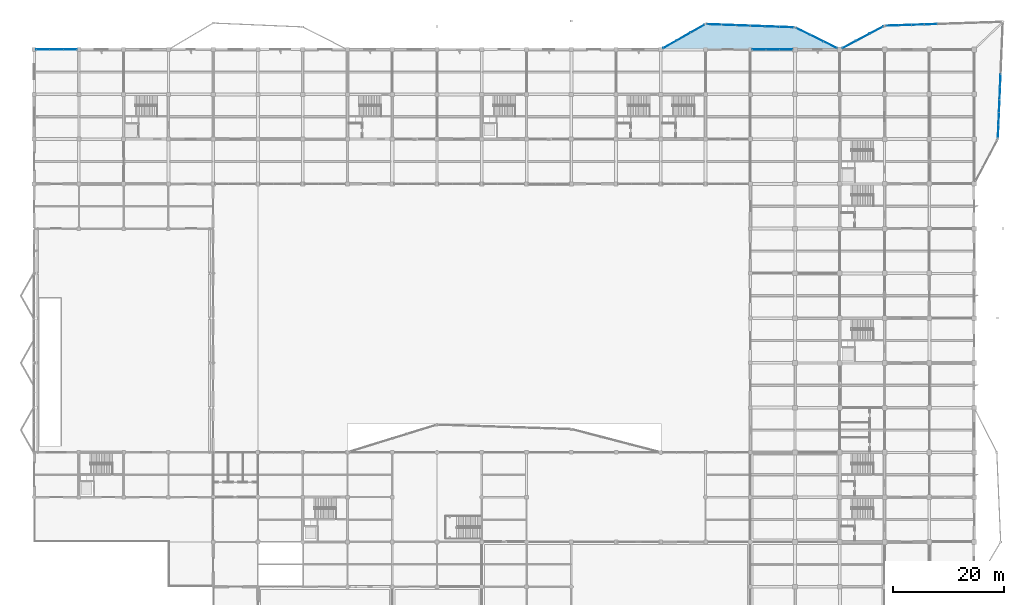
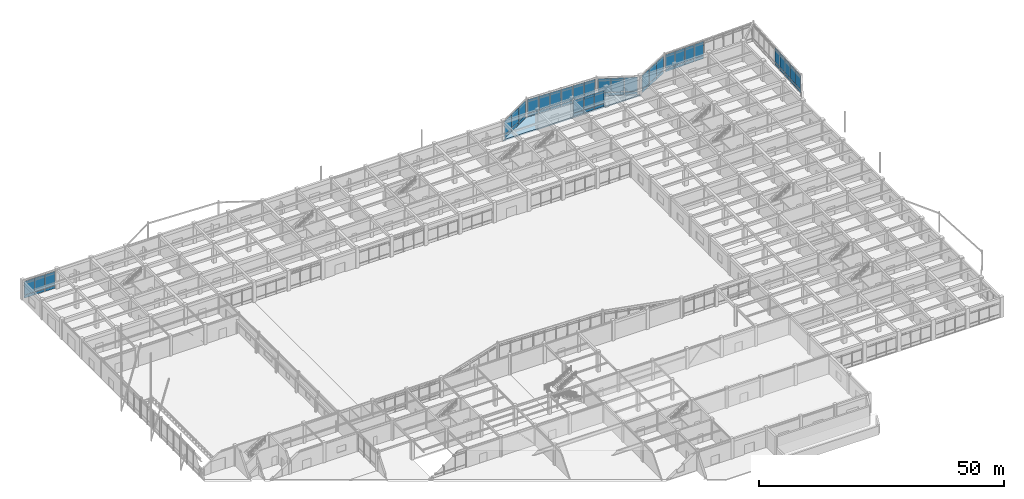
# One storey, part 56 of 99: 60 plates, 1 slab, 11 elements without a shape of their own.
"""IFC4 building model written with IfcOpenShell, lengths in metres."""

from ifc_helpers import new_model, si_unit, direction, frame, origin, origin_2d, place, context, subcontext, project, spatial, polyline, rectangle, outline, extrude, material, layer, layer_set, type_object, element, aggregate, save


model = new_model("IFC4")

# Units and contexts
model_context = context("Model", 3, precision=1e-05, world=origin(), true_north=direction((0.0, 1.0)))
body_context = subcontext(model_context, "Body", "Model", "MODEL_VIEW")
ifc_project = project(units=[si_unit("LENGTHUNIT", "METRE"), si_unit("AREAUNIT", "SQUARE_METRE"), si_unit("VOLUMEUNIT", "CUBIC_METRE"), si_unit("PLANEANGLEUNIT", "RADIAN"), si_unit("MASSUNIT", "GRAM", prefix="KILO")], contexts=[model_context])

# Site, building, storey
site_placement = place(None, origin())
site = spatial("IfcSite", under=ifc_project, at=site_placement, CompositionType="ELEMENT")
building_placement = place(site_placement, origin())
building = spatial("IfcBuilding", under=site, at=building_placement, Name="Vaudrelin Polytechnic", CompositionType="ELEMENT")
storey_placement = place(building_placement, origin())
storey = spatial("IfcBuildingStorey", under=building, at=storey_placement, Name="L00", CompositionType="ELEMENT", Elevation=0.0)

# Curtain wall, plates
ifc_material_1 = material(Name="Thermally broken anodised aluminium AA 6063-T6 and low-e triple glazing", Category="aluminium")
ifc_layer_1 = layer(ifc_material_1, 0.199951171875)
ifc_layer_set_1 = layer_set([ifc_layer_1], Name="Thermally broken anodised aluminium AA 6063-T6 and low-e triple glazing")
curtain_wall_type_1 = type_object("IfcCurtainWallType", Name="CW-CW-STU", PredefinedType="USERDEFINED", material=ifc_layer_set_1)
curtain_wall_1_placement = place(storey_placement, origin())
curtain_wall_1 = element("IfcCurtainWall", 1, at=curtain_wall_1_placement, inside=storey, type_object=curtain_wall_type_1, Name="Curtain wall L00 N_V5_00", ObjectType="CURTAIN WALL", PredefinedType="USERDEFINED")
ifc_material_2 = material(Name="Insulated ceramic-frit spandrel glass panel", Category="glass")
ifc_layer_2 = layer(ifc_material_2, 0.052001953125)
ifc_layer_set_2 = layer_set([ifc_layer_2], Name="Insulated ceramic-frit spandrel glass panel")
plate_type_1 = type_object("IfcPlateType", Name="PLT-GLZ-SPAND", PredefinedType="CURTAIN_PANEL", material=ifc_layer_set_2)
plate_1_placement = place(storey_placement, frame((1.5986328125, 121.5, 0.08984375), z_axis=(0.0, 0.0, 1.0), x_axis=(1.0, 0.0, 0.0)))
plate_1 = element("IfcPlate", 2, at=plate_1_placement, type_object=plate_type_1, Name="N_V5_00 spandrel panel 1", PredefinedType="CURTAIN_PANEL", context=body_context, shape_type="SweptSolid", body=[
    extrude(rectangle(XDim=2.351318359375, YDim=0.052001953125, at=origin_2d()), origin(), (0.0, 0.0, 1.0), 0.699951171875),
])
plate_2_placement = place(storey_placement, frame((4.050048828125, 121.5, 0.08984375), z_axis=(0.0, 0.0, 1.0), x_axis=(1.0, 0.0, 0.0)))
plate_2 = element("IfcPlate", 3, at=plate_2_placement, type_object=plate_type_1, Name="N_V5_00 spandrel panel 2", PredefinedType="CURTAIN_PANEL", context=body_context, shape_type="SweptSolid", body=[
    extrude(rectangle(XDim=2.351318359375, YDim=0.052001953125, at=origin_2d()), origin(), (0.0, 0.0, 1.0), 0.699951171875),
])
plate_3_placement = place(storey_placement, frame((6.501220703125, 121.5, 0.08984375), z_axis=(0.0, 0.0, 1.0), x_axis=(1.0, 0.0, 0.0)))
plate_3 = element("IfcPlate", 4, at=plate_3_placement, type_object=plate_type_1, Name="N_V5_00 spandrel panel 3", PredefinedType="CURTAIN_PANEL", context=body_context, shape_type="SweptSolid", body=[
    extrude(rectangle(XDim=2.351318359375, YDim=0.052001953125, at=origin_2d()), origin(), (0.0, 0.0, 1.0), 0.699951171875),
])

ifc_layer_3 = layer(ifc_material_1, 0.199951171875)
ifc_layer_set_3 = layer_set([ifc_layer_3], Name="Thermally broken anodised aluminium AA 6063-T6 and low-e triple glazing")
curtain_wall_type_2 = type_object("IfcCurtainWallType", Name="CW-CW-LAB", PredefinedType="USERDEFINED", material=ifc_layer_set_3)
curtain_wall_2_placement = place(storey_placement, origin())
curtain_wall_2 = element("IfcCurtainWall", 5, at=curtain_wall_2_placement, inside=storey, type_object=curtain_wall_type_2, Name="Curtain wall L00 N_V4_00", ObjectType="CURTAIN WALL", PredefinedType="USERDEFINED")
plate_4_placement = place(storey_placement, frame((131.190185546875, 121.5, 0.08984375), z_axis=(0.0, 0.0, 1.0), x_axis=(1.0, 0.0, 0.0)))
plate_4 = element("IfcPlate", 6, at=plate_4_placement, type_object=plate_type_1, Name="N_V4_00 spandrel panel 1", PredefinedType="CURTAIN_PANEL", context=body_context, shape_type="SweptSolid", body=[
    extrude(rectangle(XDim=2.334716796875, YDim=0.052001953125, at=origin_2d()), origin(), (0.0, 0.0, 1.0), 0.699951171875),
])
plate_5_placement = place(storey_placement, frame((133.625, 121.5, 0.08984375), z_axis=(0.0, 0.0, 1.0), x_axis=(1.0, 0.0, 0.0)))
plate_5 = element("IfcPlate", 7, at=plate_5_placement, type_object=plate_type_1, Name="N_V4_00 spandrel panel 2", PredefinedType="CURTAIN_PANEL", context=body_context, shape_type="SweptSolid", body=[
    extrude(rectangle(XDim=2.334716796875, YDim=0.052001953125, at=origin_2d()), origin(), (0.0, 0.0, 1.0), 0.699951171875),
])
plate_6_placement = place(storey_placement, frame((136.059814453125, 121.5, 0.08984375), z_axis=(0.0, 0.0, 1.0), x_axis=(1.0, 0.0, 0.0)))
plate_6 = element("IfcPlate", 8, at=plate_6_placement, type_object=plate_type_1, Name="N_V4_00 spandrel panel 3", PredefinedType="CURTAIN_PANEL", context=body_context, shape_type="SweptSolid", body=[
    extrude(rectangle(XDim=2.334716796875, YDim=0.052001953125, at=origin_2d()), origin(), (0.0, 0.0, 1.0), 0.699951171875),
])

curtain_wall_3_placement = place(storey_placement, origin())
curtain_wall_3 = element("IfcCurtainWall", 9, at=curtain_wall_3_placement, inside=storey, type_object=curtain_wall_type_2, Name="Curtain wall L00 NEP_1_0", ObjectType="CURTAIN WALL", PredefinedType="USERDEFINED")
plate_7_placement = place(storey_placement, frame((147.52880859375, 122.417724609375, 0.08984375), z_axis=(0.0, 0.0, 1.0), x_axis=(0.883256373642, 0.468890369298, 0.0)))
plate_7 = element("IfcPlate", 10, at=plate_7_placement, type_object=plate_type_1, Name="NEP_1_0 spandrel panel 1", PredefinedType="CURTAIN_PANEL", context=body_context, shape_type="SweptSolid", body=[
    extrude(rectangle(XDim=2.68212890625, YDim=0.052001953125, at=origin_2d()), origin(), (0.0, 0.0, 1.0), 0.699951171875),
])
plate_8_placement = place(storey_placement, frame((149.986083984375, 123.722412109375, 0.08984375), z_axis=(0.0, 0.0, 1.0), x_axis=(0.883256373642, 0.468890369298, 0.0)))
plate_8 = element("IfcPlate", 11, at=plate_8_placement, type_object=plate_type_1, Name="NEP_1_0 spandrel panel 2", PredefinedType="CURTAIN_PANEL", context=body_context, shape_type="SweptSolid", body=[
    extrude(rectangle(XDim=2.68212890625, YDim=0.052001953125, at=origin_2d()), origin(), (0.0, 0.0, 1.0), 0.699951171875),
])
plate_9_placement = place(storey_placement, frame((152.443603515625, 125.02685546875, 0.08984375), z_axis=(0.0, 0.0, 1.0), x_axis=(0.883256373642, 0.468890369298, 0.0)))
plate_9 = element("IfcPlate", 12, at=plate_9_placement, type_object=plate_type_1, Name="NEP_1_0 spandrel panel 3", PredefinedType="CURTAIN_PANEL", context=body_context, shape_type="SweptSolid", body=[
    extrude(rectangle(XDim=2.68212890625, YDim=0.052001953125, at=origin_2d()), origin(), (0.0, 0.0, 1.0), 0.699951171875),
])

curtain_wall_4_placement = place(storey_placement, origin())
curtain_wall_4 = element("IfcCurtainWall", 13, at=curtain_wall_4_placement, inside=storey, type_object=curtain_wall_type_2, Name="Curtain wall L00 NEP_2_0", ObjectType="CURTAIN WALL", PredefinedType="USERDEFINED")
plate_10_placement = place(storey_placement, frame((155.297119140625, 125.845703125, 0.08984375), z_axis=(0.0, 0.0, 1.0), x_axis=(0.999465454284, 0.032692593862, 0.0)))
plate_10 = element("IfcPlate", 14, at=plate_10_placement, type_object=plate_type_1, Name="NEP_2_0 spandrel panel 1", PredefinedType="CURTAIN_PANEL", context=body_context, shape_type="SweptSolid", body=[
    extrude(rectangle(XDim=2.220703125, YDim=0.052001953125, at=origin_2d()), origin(), (0.0, 0.0, 1.0), 0.699951171875),
])
plate_11_placement = place(storey_placement, frame((157.616455078125, 125.921630859375, 0.08984375), z_axis=(0.0, 0.0, 1.0), x_axis=(0.999465454284, 0.032692593862, 0.0)))
plate_11 = element("IfcPlate", 15, at=plate_11_placement, type_object=plate_type_1, Name="NEP_2_0 spandrel panel 2", PredefinedType="CURTAIN_PANEL", context=body_context, shape_type="SweptSolid", body=[
    extrude(rectangle(XDim=2.220703125, YDim=0.052001953125, at=origin_2d()), origin(), (0.0, 0.0, 1.0), 0.699951171875),
])
plate_12_placement = place(storey_placement, frame((159.935791015625, 125.99755859375, 0.08984375), z_axis=(0.0, 0.0, 1.0), x_axis=(0.999465454284, 0.032692593862, 0.0)))
plate_12 = element("IfcPlate", 16, at=plate_12_placement, type_object=plate_type_1, Name="NEP_2_0 spandrel panel 3", PredefinedType="CURTAIN_PANEL", context=body_context, shape_type="SweptSolid", body=[
    extrude(rectangle(XDim=2.220703125, YDim=0.052001953125, at=origin_2d()), origin(), (0.0, 0.0, 1.0), 0.699951171875),
])

# Curtain wall, plate
curtain_wall_5_placement = place(storey_placement, origin())
curtain_wall_5 = element("IfcCurtainWall", 17, at=curtain_wall_5_placement, inside=storey, type_object=curtain_wall_type_2, Name="Curtain wall L00 NEP_2_1", ObjectType="CURTAIN WALL", PredefinedType="USERDEFINED")
plate_13_placement = place(storey_placement, frame((162.25537109375, 126.0732421875, 0.08984375), z_axis=(0.0, 0.0, 1.0), x_axis=(0.999465454284, 0.032692593862, 0.0)))
plate_13 = element("IfcPlate", 18, at=plate_13_placement, type_object=plate_type_1, Name="NEP_2_1 spandrel panel 1", PredefinedType="CURTAIN_PANEL", context=body_context, shape_type="SweptSolid", body=[
    extrude(rectangle(XDim=2.220703125, YDim=0.052001953125, at=origin_2d()), origin(), (0.0, 0.0, 1.0), 0.699951171875),
])

# Curtain wall, plates
curtain_wall_6_placement = place(storey_placement, origin())
curtain_wall_6 = element("IfcCurtainWall", 19, at=curtain_wall_6_placement, inside=storey, type_object=curtain_wall_type_2, Name="Curtain wall L00 NEP_3_1", ObjectType="CURTAIN WALL", PredefinedType="USERDEFINED")
plate_14_placement = place(storey_placement, frame((174.84912109375, 115.874755859375, 0.08984375), z_axis=(0.0, 0.0, 1.0), x_axis=(-0.042405411318, -0.999100485983, 0.0)))
plate_14 = element("IfcPlate", 20, at=plate_14_placement, type_object=plate_type_1, Name="NEP_3_1 spandrel panel 2", PredefinedType="CURTAIN_PANEL", context=body_context, shape_type="SweptSolid", body=[
    extrude(rectangle(XDim=2.19921875, YDim=0.052001953125, at=origin_2d()), origin(), (0.0, 0.0, 1.0), 0.699951171875),
])
plate_15_placement = place(storey_placement, frame((174.75146484375, 113.577392578125, 0.08984375), z_axis=(0.0, 0.0, 1.0), x_axis=(-0.042405411318, -0.999100485983, 0.0)))
plate_15 = element("IfcPlate", 21, at=plate_15_placement, type_object=plate_type_1, Name="NEP_3_1 spandrel panel 3", PredefinedType="CURTAIN_PANEL", context=body_context, shape_type="SweptSolid", body=[
    extrude(rectangle(XDim=2.19921875, YDim=0.052001953125, at=origin_2d()), origin(), (0.0, 0.0, 1.0), 0.699951171875),
])

curtain_wall_7_placement = place(storey_placement, origin())
curtain_wall_7 = element("IfcCurtainWall", 22, at=curtain_wall_7_placement, inside=storey, type_object=curtain_wall_type_2, Name="Curtain wall L00 NEP_3_2", ObjectType="CURTAIN WALL", PredefinedType="USERDEFINED")
plate_16_placement = place(storey_placement, frame((174.65380859375, 111.2802734375, 0.08984375), z_axis=(0.0, 0.0, 1.0), x_axis=(-0.042419882824, -0.999099871655, 0.0)))
plate_16 = element("IfcPlate", 23, at=plate_16_placement, type_object=plate_type_1, Name="NEP_3_2 spandrel panel 1", PredefinedType="CURTAIN_PANEL", context=body_context, shape_type="SweptSolid", body=[
    extrude(rectangle(XDim=2.19921875, YDim=0.052001953125, at=origin_2d()), origin(), (0.0, 0.0, 1.0), 0.699951171875),
])
plate_17_placement = place(storey_placement, frame((174.556396484375, 108.983154296875, 0.08984375), z_axis=(0.0, 0.0, 1.0), x_axis=(-0.042419882824, -0.999099871655, 0.0)))
plate_17 = element("IfcPlate", 24, at=plate_17_placement, type_object=plate_type_1, Name="NEP_3_2 spandrel panel 2", PredefinedType="CURTAIN_PANEL", context=body_context, shape_type="SweptSolid", body=[
    extrude(rectangle(XDim=2.19921875, YDim=0.052001953125, at=origin_2d()), origin(), (0.0, 0.0, 1.0), 0.699951171875),
])
plate_18_placement = place(storey_placement, frame((174.458984375, 106.68603515625, 0.08984375), z_axis=(0.0, 0.0, 1.0), x_axis=(-0.042419882824, -0.999099871655, 0.0)))
plate_18 = element("IfcPlate", 25, at=plate_18_placement, type_object=plate_type_1, Name="NEP_3_2 spandrel panel 3", PredefinedType="CURTAIN_PANEL", context=body_context, shape_type="SweptSolid", body=[
    extrude(rectangle(XDim=2.19921875, YDim=0.052001953125, at=origin_2d()), origin(), (0.0, 0.0, 1.0), 0.699951171875),
])

curtain_wall_8_placement = place(storey_placement, origin())
curtain_wall_8 = element("IfcCurtainWall", 26, at=curtain_wall_8_placement, inside=storey, type_object=curtain_wall_type_1, Name="Curtain wall L00 N_OR3_1_0", ObjectType="CURTAIN WALL", PredefinedType="USERDEFINED")
plate_19_placement = place(storey_placement, frame((115.086181640625, 122.457763671875, 0.08984375), z_axis=(0.0, 0.0, 1.0), x_axis=(0.869561147785, 0.493825283135, 0.0)))
plate_19 = element("IfcPlate", 27, at=plate_19_placement, type_object=plate_type_1, Name="N_OR3_1_0 spandrel panel 1", PredefinedType="CURTAIN_PANEL", context=body_context, shape_type="SweptSolid", body=[
    extrude(rectangle(XDim=2.74609375, YDim=0.052001953125, at=origin_2d()), origin(), (0.0, 0.0, 1.0), 0.699951171875),
])
plate_20_placement = place(storey_placement, frame((117.561279296875, 123.86328125, 0.08984375), z_axis=(0.0, 0.0, 1.0), x_axis=(0.869561147785, 0.493825283135, 0.0)))
plate_20 = element("IfcPlate", 28, at=plate_20_placement, type_object=plate_type_1, Name="N_OR3_1_0 spandrel panel 2", PredefinedType="CURTAIN_PANEL", context=body_context, shape_type="SweptSolid", body=[
    extrude(rectangle(XDim=2.74609375, YDim=0.052001953125, at=origin_2d()), origin(), (0.0, 0.0, 1.0), 0.699951171875),
])
plate_21_placement = place(storey_placement, frame((120.0361328125, 125.268798828125, 0.08984375), z_axis=(0.0, 0.0, 1.0), x_axis=(0.869561147785, 0.493825283135, 0.0)))
plate_21 = element("IfcPlate", 29, at=plate_21_placement, type_object=plate_type_1, Name="N_OR3_1_0 spandrel panel 3", PredefinedType="CURTAIN_PANEL", context=body_context, shape_type="SweptSolid", body=[
    extrude(rectangle(XDim=2.74609375, YDim=0.052001953125, at=origin_2d()), origin(), (0.0, 0.0, 1.0), 0.699951171875),
])

curtain_wall_9_placement = place(storey_placement, origin())
curtain_wall_9 = element("IfcCurtainWall", 30, at=curtain_wall_9_placement, inside=storey, type_object=curtain_wall_type_1, Name="Curtain wall L00 N_OR3_2_0", ObjectType="CURTAIN WALL", PredefinedType="USERDEFINED")
plate_22_placement = place(storey_placement, frame((123.0478515625, 126.042724609375, 0.08984375), z_axis=(0.0, 0.0, 1.0), x_axis=(0.999314868587, -0.037010720341, 0.0)))
plate_22 = element("IfcPlate", 31, at=plate_22_placement, type_object=plate_type_1, Name="N_OR3_2_0 spandrel panel 1", PredefinedType="CURTAIN_PANEL", context=body_context, shape_type="SweptSolid", body=[
    extrude(rectangle(XDim=2.522705078125, YDim=0.052001953125, at=origin_2d()), origin(), (0.0, 0.0, 1.0), 0.699951171875),
])
plate_23_placement = place(storey_placement, frame((125.668701171875, 125.945556640625, 0.08984375), z_axis=(0.0, 0.0, 1.0), x_axis=(0.999314868587, -0.037010720341, 0.0)))
plate_23 = element("IfcPlate", 32, at=plate_23_placement, type_object=plate_type_1, Name="N_OR3_2_0 spandrel panel 2", PredefinedType="CURTAIN_PANEL", context=body_context, shape_type="SweptSolid", body=[
    extrude(rectangle(XDim=2.522705078125, YDim=0.052001953125, at=origin_2d()), origin(), (0.0, 0.0, 1.0), 0.699951171875),
])
plate_24_placement = place(storey_placement, frame((128.28955078125, 125.848388671875, 0.08984375), z_axis=(0.0, 0.0, 1.0), x_axis=(0.999314868587, -0.037010720341, 0.0)))
plate_24 = element("IfcPlate", 33, at=plate_24_placement, type_object=plate_type_1, Name="N_OR3_2_0 spandrel panel 3", PredefinedType="CURTAIN_PANEL", context=body_context, shape_type="SweptSolid", body=[
    extrude(rectangle(XDim=2.522705078125, YDim=0.052001953125, at=origin_2d()), origin(), (0.0, 0.0, 1.0), 0.699951171875),
])

curtain_wall_10_placement = place(storey_placement, origin())
curtain_wall_10 = element("IfcCurtainWall", 34, at=curtain_wall_10_placement, inside=storey, type_object=curtain_wall_type_1, Name="Curtain wall L00 N_OR3_2_1", ObjectType="CURTAIN WALL", PredefinedType="USERDEFINED")
plate_25_placement = place(storey_placement, frame((130.910400390625, 125.75146484375, 0.08984375), z_axis=(0.0, 0.0, 1.0), x_axis=(0.999314868587, -0.037010720341, 0.0)))
plate_25 = element("IfcPlate", 35, at=plate_25_placement, type_object=plate_type_1, Name="N_OR3_2_1 spandrel panel 1", PredefinedType="CURTAIN_PANEL", context=body_context, shape_type="SweptSolid", body=[
    extrude(rectangle(XDim=2.522705078125, YDim=0.052001953125, at=origin_2d()), origin(), (0.0, 0.0, 1.0), 0.699951171875),
])
plate_26_placement = place(storey_placement, frame((133.53125, 125.654296875, 0.08984375), z_axis=(0.0, 0.0, 1.0), x_axis=(0.999314868587, -0.037010720341, 0.0)))
plate_26 = element("IfcPlate", 36, at=plate_26_placement, type_object=plate_type_1, Name="N_OR3_2_1 spandrel panel 2", PredefinedType="CURTAIN_PANEL", context=body_context, shape_type="SweptSolid", body=[
    extrude(rectangle(XDim=2.522705078125, YDim=0.052001953125, at=origin_2d()), origin(), (0.0, 0.0, 1.0), 0.699951171875),
])
plate_27_placement = place(storey_placement, frame((136.152099609375, 125.557373046875, 0.08984375), z_axis=(0.0, 0.0, 1.0), x_axis=(0.999314868587, -0.037010720341, 0.0)))
plate_27 = element("IfcPlate", 37, at=plate_27_placement, type_object=plate_type_1, Name="N_OR3_2_1 spandrel panel 3", PredefinedType="CURTAIN_PANEL", context=body_context, shape_type="SweptSolid", body=[
    extrude(rectangle(XDim=2.522705078125, YDim=0.052001953125, at=origin_2d()), origin(), (0.0, 0.0, 1.0), 0.699951171875),
])

curtain_wall_11_placement = place(storey_placement, origin())
curtain_wall_11 = element("IfcCurtainWall", 38, at=curtain_wall_11_placement, inside=storey, type_object=curtain_wall_type_1, Name="Curtain wall L00 N_OR3_3_0", ObjectType="CURTAIN WALL", PredefinedType="USERDEFINED")
plate_28_placement = place(storey_placement, frame((139.156982421875, 124.780517578125, 0.08984375), z_axis=(0.0, 0.0, 1.0), x_axis=(0.896627986074, -0.442784659386, 0.0)))
plate_28 = element("IfcPlate", 39, at=plate_28_placement, type_object=plate_type_1, Name="N_OR3_3_0 spandrel panel 1", PredefinedType="CURTAIN_PANEL", context=body_context, shape_type="SweptSolid", body=[
    extrude(rectangle(XDim=2.639892578125, YDim=0.052001953125, at=origin_2d()), origin(), (0.0, 0.0, 1.0), 0.699951171875),
])
plate_29_placement = place(storey_placement, frame((141.61376953125, 123.5673828125, 0.08984375), z_axis=(0.0, 0.0, 1.0), x_axis=(0.896627986074, -0.442784659386, 0.0)))
plate_29 = element("IfcPlate", 40, at=plate_29_placement, type_object=plate_type_1, Name="N_OR3_3_0 spandrel panel 2", PredefinedType="CURTAIN_PANEL", context=body_context, shape_type="SweptSolid", body=[
    extrude(rectangle(XDim=2.639892578125, YDim=0.052001953125, at=origin_2d()), origin(), (0.0, 0.0, 1.0), 0.699951171875),
])
plate_30_placement = place(storey_placement, frame((144.0703125, 122.35400390625, 0.08984375), z_axis=(0.0, 0.0, 1.0), x_axis=(0.896627986074, -0.442784659386, 0.0)))
plate_30 = element("IfcPlate", 41, at=plate_30_placement, type_object=plate_type_1, Name="N_OR3_3_0 spandrel panel 3", PredefinedType="CURTAIN_PANEL", context=body_context, shape_type="SweptSolid", body=[
    extrude(rectangle(XDim=2.639892578125, YDim=0.052001953125, at=origin_2d()), origin(), (0.0, 0.0, 1.0), 0.699951171875),
])

# Plate
ifc_material_3 = material(Name="Triple low-e argon insulated glazing unit", Category="glass")
ifc_layer_4 = layer(ifc_material_3, 0.0439453125)
ifc_layer_set_4 = layer_set([ifc_layer_4], Name="Triple low-e argon insulated glazing unit")
plate_type_2 = type_object("IfcPlateType", Name="PLT-GLZ-TRIPLE", PredefinedType="CURTAIN_PANEL", material=ifc_layer_set_4)
plate_31_placement = place(storey_placement, frame((1.5986328125, 121.5, 0.89990234375), z_axis=(0.0, 0.0, 1.0), x_axis=(1.0, 0.0, 0.0)))
plate_31 = element("IfcPlate", 42, at=plate_31_placement, type_object=plate_type_2, Name="N_V5_00 vision panel 1", PredefinedType="CURTAIN_PANEL", context=body_context, shape_type="SweptSolid", body=[
    extrude(rectangle(XDim=2.351318359375, YDim=0.0439453125, at=origin_2d()), origin(), (0.0, 0.0, 1.0), 3.406982421875),
])

plate_32_placement = place(storey_placement, frame((4.050048828125, 121.5, 0.89990234375), z_axis=(0.0, 0.0, 1.0), x_axis=(1.0, 0.0, 0.0)))
plate_32 = element("IfcPlate", 43, at=plate_32_placement, type_object=plate_type_2, Name="N_V5_00 vision panel 2", PredefinedType="CURTAIN_PANEL", context=body_context, shape_type="SweptSolid", body=[
    extrude(rectangle(XDim=2.351318359375, YDim=0.0439453125, at=origin_2d()), origin(), (0.0, 0.0, 1.0), 3.406982421875),
])

plate_33_placement = place(storey_placement, frame((6.501220703125, 121.5, 0.89990234375), z_axis=(0.0, 0.0, 1.0), x_axis=(1.0, 0.0, 0.0)))
plate_33 = element("IfcPlate", 44, at=plate_33_placement, type_object=plate_type_2, Name="N_V5_00 vision panel 3", PredefinedType="CURTAIN_PANEL", context=body_context, shape_type="SweptSolid", body=[
    extrude(rectangle(XDim=2.351318359375, YDim=0.0439453125, at=origin_2d()), origin(), (0.0, 0.0, 1.0), 3.406982421875),
])

aggregate(curtain_wall_1, [plate_1, plate_31, plate_2, plate_32, plate_3, plate_33])

plate_34_placement = place(storey_placement, frame((131.190185546875, 121.5, 0.89990234375), z_axis=(0.0, 0.0, 1.0), x_axis=(1.0, 0.0, 0.0)))
plate_34 = element("IfcPlate", 45, at=plate_34_placement, type_object=plate_type_2, Name="N_V4_00 vision panel 1", PredefinedType="CURTAIN_PANEL", context=body_context, shape_type="SweptSolid", body=[
    extrude(rectangle(XDim=2.334716796875, YDim=0.0439453125, at=origin_2d()), origin(), (0.0, 0.0, 1.0), 3.221923828125),
])

plate_35_placement = place(storey_placement, frame((133.625, 121.5, 0.89990234375), z_axis=(0.0, 0.0, 1.0), x_axis=(1.0, 0.0, 0.0)))
plate_35 = element("IfcPlate", 46, at=plate_35_placement, type_object=plate_type_2, Name="N_V4_00 vision panel 2", PredefinedType="CURTAIN_PANEL", context=body_context, shape_type="SweptSolid", body=[
    extrude(rectangle(XDim=2.334716796875, YDim=0.0439453125, at=origin_2d()), origin(), (0.0, 0.0, 1.0), 3.221923828125),
])

plate_36_placement = place(storey_placement, frame((136.059814453125, 121.5, 0.89990234375), z_axis=(0.0, 0.0, 1.0), x_axis=(1.0, 0.0, 0.0)))
plate_36 = element("IfcPlate", 47, at=plate_36_placement, type_object=plate_type_2, Name="N_V4_00 vision panel 3", PredefinedType="CURTAIN_PANEL", context=body_context, shape_type="SweptSolid", body=[
    extrude(rectangle(XDim=2.334716796875, YDim=0.0439453125, at=origin_2d()), origin(), (0.0, 0.0, 1.0), 3.221923828125),
])

aggregate(curtain_wall_2, [plate_4, plate_34, plate_5, plate_35, plate_6, plate_36])

plate_37_placement = place(storey_placement, frame((147.52880859375, 122.417724609375, 0.89990234375), z_axis=(0.0, 0.0, 1.0), x_axis=(0.883256373642, 0.468890369298, 0.0)))
plate_37 = element("IfcPlate", 48, at=plate_37_placement, type_object=plate_type_2, Name="NEP_1_0 vision panel 1", PredefinedType="CURTAIN_PANEL", context=body_context, shape_type="SweptSolid", body=[
    extrude(rectangle(XDim=2.68212890625, YDim=0.0439453125, at=origin_2d()), origin(), (0.0, 0.0, 1.0), 3.489990234375),
])

plate_38_placement = place(storey_placement, frame((149.986083984375, 123.722412109375, 0.89990234375), z_axis=(0.0, 0.0, 1.0), x_axis=(0.883256373642, 0.468890369298, 0.0)))
plate_38 = element("IfcPlate", 49, at=plate_38_placement, type_object=plate_type_2, Name="NEP_1_0 vision panel 2", PredefinedType="CURTAIN_PANEL", context=body_context, shape_type="SweptSolid", body=[
    extrude(rectangle(XDim=2.68212890625, YDim=0.0439453125, at=origin_2d()), origin(), (0.0, 0.0, 1.0), 3.489990234375),
])

plate_39_placement = place(storey_placement, frame((152.443603515625, 125.02685546875, 0.89990234375), z_axis=(0.0, 0.0, 1.0), x_axis=(0.883256373642, 0.468890369298, 0.0)))
plate_39 = element("IfcPlate", 50, at=plate_39_placement, type_object=plate_type_2, Name="NEP_1_0 vision panel 3", PredefinedType="CURTAIN_PANEL", context=body_context, shape_type="SweptSolid", body=[
    extrude(rectangle(XDim=2.68212890625, YDim=0.0439453125, at=origin_2d()), origin(), (0.0, 0.0, 1.0), 3.489990234375),
])

aggregate(curtain_wall_3, [plate_7, plate_37, plate_8, plate_38, plate_9, plate_39])

plate_40_placement = place(storey_placement, frame((155.297119140625, 125.845703125, 0.89990234375), z_axis=(0.0, 0.0, 1.0), x_axis=(0.999465454284, 0.032692593862, 0.0)))
plate_40 = element("IfcPlate", 51, at=plate_40_placement, type_object=plate_type_2, Name="NEP_2_0 vision panel 1", PredefinedType="CURTAIN_PANEL", context=body_context, shape_type="SweptSolid", body=[
    extrude(rectangle(XDim=2.220703125, YDim=0.0439453125, at=origin_2d()), origin(), (0.0, 0.0, 1.0), 3.489990234375),
])

plate_41_placement = place(storey_placement, frame((157.616455078125, 125.921630859375, 0.89990234375), z_axis=(0.0, 0.0, 1.0), x_axis=(0.999465454284, 0.032692593862, 0.0)))
plate_41 = element("IfcPlate", 52, at=plate_41_placement, type_object=plate_type_2, Name="NEP_2_0 vision panel 2", PredefinedType="CURTAIN_PANEL", context=body_context, shape_type="SweptSolid", body=[
    extrude(rectangle(XDim=2.220703125, YDim=0.0439453125, at=origin_2d()), origin(), (0.0, 0.0, 1.0), 3.489990234375),
])

plate_42_placement = place(storey_placement, frame((159.935791015625, 125.99755859375, 0.89990234375), z_axis=(0.0, 0.0, 1.0), x_axis=(0.999465454284, 0.032692593862, 0.0)))
plate_42 = element("IfcPlate", 53, at=plate_42_placement, type_object=plate_type_2, Name="NEP_2_0 vision panel 3", PredefinedType="CURTAIN_PANEL", context=body_context, shape_type="SweptSolid", body=[
    extrude(rectangle(XDim=2.220703125, YDim=0.0439453125, at=origin_2d()), origin(), (0.0, 0.0, 1.0), 3.489990234375),
])

aggregate(curtain_wall_4, [plate_10, plate_40, plate_11, plate_41, plate_12, plate_42])

plate_43_placement = place(storey_placement, frame((162.25537109375, 126.0732421875, 0.89990234375), z_axis=(0.0, 0.0, 1.0), x_axis=(0.999465454284, 0.032692593862, 0.0)))
plate_43 = element("IfcPlate", 54, at=plate_43_placement, type_object=plate_type_2, Name="NEP_2_1 vision panel 1", PredefinedType="CURTAIN_PANEL", context=body_context, shape_type="SweptSolid", body=[
    extrude(rectangle(XDim=2.220703125, YDim=0.0439453125, at=origin_2d()), origin(), (0.0, 0.0, 1.0), 3.489990234375),
])

aggregate(curtain_wall_5, [plate_13, plate_43])

plate_44_placement = place(storey_placement, frame((174.84912109375, 115.874755859375, 0.89990234375), z_axis=(0.0, 0.0, 1.0), x_axis=(-0.042405411318, -0.999100485983, 0.0)))
plate_44 = element("IfcPlate", 55, at=plate_44_placement, type_object=plate_type_2, Name="NEP_3_1 vision panel 2", PredefinedType="CURTAIN_PANEL", context=body_context, shape_type="SweptSolid", body=[
    extrude(rectangle(XDim=2.19921875, YDim=0.0439453125, at=origin_2d()), origin(), (0.0, 0.0, 1.0), 3.489990234375),
])

plate_45_placement = place(storey_placement, frame((174.75146484375, 113.577392578125, 0.89990234375), z_axis=(0.0, 0.0, 1.0), x_axis=(-0.042405411318, -0.999100485983, 0.0)))
plate_45 = element("IfcPlate", 56, at=plate_45_placement, type_object=plate_type_2, Name="NEP_3_1 vision panel 3", PredefinedType="CURTAIN_PANEL", context=body_context, shape_type="SweptSolid", body=[
    extrude(rectangle(XDim=2.19921875, YDim=0.0439453125, at=origin_2d()), origin(), (0.0, 0.0, 1.0), 3.489990234375),
])

aggregate(curtain_wall_6, [plate_14, plate_44, plate_15, plate_45])

plate_46_placement = place(storey_placement, frame((174.65380859375, 111.2802734375, 0.89990234375), z_axis=(0.0, 0.0, 1.0), x_axis=(-0.042419882824, -0.999099871655, 0.0)))
plate_46 = element("IfcPlate", 57, at=plate_46_placement, type_object=plate_type_2, Name="NEP_3_2 vision panel 1", PredefinedType="CURTAIN_PANEL", context=body_context, shape_type="SweptSolid", body=[
    extrude(rectangle(XDim=2.19921875, YDim=0.0439453125, at=origin_2d()), origin(), (0.0, 0.0, 1.0), 3.489990234375),
])

plate_47_placement = place(storey_placement, frame((174.556396484375, 108.983154296875, 0.89990234375), z_axis=(0.0, 0.0, 1.0), x_axis=(-0.042419882824, -0.999099871655, 0.0)))
plate_47 = element("IfcPlate", 58, at=plate_47_placement, type_object=plate_type_2, Name="NEP_3_2 vision panel 2", PredefinedType="CURTAIN_PANEL", context=body_context, shape_type="SweptSolid", body=[
    extrude(rectangle(XDim=2.19921875, YDim=0.0439453125, at=origin_2d()), origin(), (0.0, 0.0, 1.0), 3.489990234375),
])

plate_48_placement = place(storey_placement, frame((174.458984375, 106.68603515625, 0.89990234375), z_axis=(0.0, 0.0, 1.0), x_axis=(-0.042419882824, -0.999099871655, 0.0)))
plate_48 = element("IfcPlate", 59, at=plate_48_placement, type_object=plate_type_2, Name="NEP_3_2 vision panel 3", PredefinedType="CURTAIN_PANEL", context=body_context, shape_type="SweptSolid", body=[
    extrude(rectangle(XDim=2.19921875, YDim=0.0439453125, at=origin_2d()), origin(), (0.0, 0.0, 1.0), 3.489990234375),
])

aggregate(curtain_wall_7, [plate_16, plate_46, plate_17, plate_47, plate_18, plate_48])

plate_49_placement = place(storey_placement, frame((115.086181640625, 122.457763671875, 0.89990234375), z_axis=(0.0, 0.0, 1.0), x_axis=(0.869561147785, 0.493825283135, 0.0)))
plate_49 = element("IfcPlate", 60, at=plate_49_placement, type_object=plate_type_2, Name="N_OR3_1_0 vision panel 1", PredefinedType="CURTAIN_PANEL", context=body_context, shape_type="SweptSolid", body=[
    extrude(rectangle(XDim=2.74609375, YDim=0.0439453125, at=origin_2d()), origin(), (0.0, 0.0, 1.0), 3.489990234375),
])

plate_50_placement = place(storey_placement, frame((117.561279296875, 123.86328125, 0.89990234375), z_axis=(0.0, 0.0, 1.0), x_axis=(0.869561147785, 0.493825283135, 0.0)))
plate_50 = element("IfcPlate", 61, at=plate_50_placement, type_object=plate_type_2, Name="N_OR3_1_0 vision panel 2", PredefinedType="CURTAIN_PANEL", context=body_context, shape_type="SweptSolid", body=[
    extrude(rectangle(XDim=2.74609375, YDim=0.0439453125, at=origin_2d()), origin(), (0.0, 0.0, 1.0), 3.489990234375),
])

plate_51_placement = place(storey_placement, frame((120.0361328125, 125.268798828125, 0.89990234375), z_axis=(0.0, 0.0, 1.0), x_axis=(0.869561147785, 0.493825283135, 0.0)))
plate_51 = element("IfcPlate", 62, at=plate_51_placement, type_object=plate_type_2, Name="N_OR3_1_0 vision panel 3", PredefinedType="CURTAIN_PANEL", context=body_context, shape_type="SweptSolid", body=[
    extrude(rectangle(XDim=2.74609375, YDim=0.0439453125, at=origin_2d()), origin(), (0.0, 0.0, 1.0), 3.489990234375),
])

aggregate(curtain_wall_8, [plate_19, plate_49, plate_20, plate_50, plate_21, plate_51])

plate_52_placement = place(storey_placement, frame((123.0478515625, 126.042724609375, 0.89990234375), z_axis=(0.0, 0.0, 1.0), x_axis=(0.999314868587, -0.037010720341, 0.0)))
plate_52 = element("IfcPlate", 63, at=plate_52_placement, type_object=plate_type_2, Name="N_OR3_2_0 vision panel 1", PredefinedType="CURTAIN_PANEL", context=body_context, shape_type="SweptSolid", body=[
    extrude(rectangle(XDim=2.522705078125, YDim=0.0439453125, at=origin_2d()), origin(), (0.0, 0.0, 1.0), 3.489990234375),
])

plate_53_placement = place(storey_placement, frame((125.668701171875, 125.945556640625, 0.89990234375), z_axis=(0.0, 0.0, 1.0), x_axis=(0.999314868587, -0.037010720341, 0.0)))
plate_53 = element("IfcPlate", 64, at=plate_53_placement, type_object=plate_type_2, Name="N_OR3_2_0 vision panel 2", PredefinedType="CURTAIN_PANEL", context=body_context, shape_type="SweptSolid", body=[
    extrude(rectangle(XDim=2.522705078125, YDim=0.0439453125, at=origin_2d()), origin(), (0.0, 0.0, 1.0), 3.489990234375),
])

plate_54_placement = place(storey_placement, frame((128.28955078125, 125.848388671875, 0.89990234375), z_axis=(0.0, 0.0, 1.0), x_axis=(0.999314868587, -0.037010720341, 0.0)))
plate_54 = element("IfcPlate", 65, at=plate_54_placement, type_object=plate_type_2, Name="N_OR3_2_0 vision panel 3", PredefinedType="CURTAIN_PANEL", context=body_context, shape_type="SweptSolid", body=[
    extrude(rectangle(XDim=2.522705078125, YDim=0.0439453125, at=origin_2d()), origin(), (0.0, 0.0, 1.0), 3.489990234375),
])

aggregate(curtain_wall_9, [plate_22, plate_52, plate_23, plate_53, plate_24, plate_54])

plate_55_placement = place(storey_placement, frame((130.910400390625, 125.75146484375, 0.89990234375), z_axis=(0.0, 0.0, 1.0), x_axis=(0.999314868587, -0.037010720341, 0.0)))
plate_55 = element("IfcPlate", 66, at=plate_55_placement, type_object=plate_type_2, Name="N_OR3_2_1 vision panel 1", PredefinedType="CURTAIN_PANEL", context=body_context, shape_type="SweptSolid", body=[
    extrude(rectangle(XDim=2.522705078125, YDim=0.0439453125, at=origin_2d()), origin(), (0.0, 0.0, 1.0), 3.489990234375),
])

plate_56_placement = place(storey_placement, frame((133.53125, 125.654296875, 0.89990234375), z_axis=(0.0, 0.0, 1.0), x_axis=(0.999314868587, -0.037010720341, 0.0)))
plate_56 = element("IfcPlate", 67, at=plate_56_placement, type_object=plate_type_2, Name="N_OR3_2_1 vision panel 2", PredefinedType="CURTAIN_PANEL", context=body_context, shape_type="SweptSolid", body=[
    extrude(rectangle(XDim=2.522705078125, YDim=0.0439453125, at=origin_2d()), origin(), (0.0, 0.0, 1.0), 3.489990234375),
])

plate_57_placement = place(storey_placement, frame((136.152099609375, 125.557373046875, 0.89990234375), z_axis=(0.0, 0.0, 1.0), x_axis=(0.999314868587, -0.037010720341, 0.0)))
plate_57 = element("IfcPlate", 68, at=plate_57_placement, type_object=plate_type_2, Name="N_OR3_2_1 vision panel 3", PredefinedType="CURTAIN_PANEL", context=body_context, shape_type="SweptSolid", body=[
    extrude(rectangle(XDim=2.522705078125, YDim=0.0439453125, at=origin_2d()), origin(), (0.0, 0.0, 1.0), 3.489990234375),
])

aggregate(curtain_wall_10, [plate_25, plate_55, plate_26, plate_56, plate_27, plate_57])

plate_58_placement = place(storey_placement, frame((139.156982421875, 124.780517578125, 0.89990234375), z_axis=(0.0, 0.0, 1.0), x_axis=(0.896627986074, -0.442784659386, 0.0)))
plate_58 = element("IfcPlate", 69, at=plate_58_placement, type_object=plate_type_2, Name="N_OR3_3_0 vision panel 1", PredefinedType="CURTAIN_PANEL", context=body_context, shape_type="SweptSolid", body=[
    extrude(rectangle(XDim=2.639892578125, YDim=0.0439453125, at=origin_2d()), origin(), (0.0, 0.0, 1.0), 3.489990234375),
])

plate_59_placement = place(storey_placement, frame((141.61376953125, 123.5673828125, 0.89990234375), z_axis=(0.0, 0.0, 1.0), x_axis=(0.896627986074, -0.442784659386, 0.0)))
plate_59 = element("IfcPlate", 70, at=plate_59_placement, type_object=plate_type_2, Name="N_OR3_3_0 vision panel 2", PredefinedType="CURTAIN_PANEL", context=body_context, shape_type="SweptSolid", body=[
    extrude(rectangle(XDim=2.639892578125, YDim=0.0439453125, at=origin_2d()), origin(), (0.0, 0.0, 1.0), 3.489990234375),
])

plate_60_placement = place(storey_placement, frame((144.0703125, 122.35400390625, 0.89990234375), z_axis=(0.0, 0.0, 1.0), x_axis=(0.896627986074, -0.442784659386, 0.0)))
plate_60 = element("IfcPlate", 71, at=plate_60_placement, type_object=plate_type_2, Name="N_OR3_3_0 vision panel 3", PredefinedType="CURTAIN_PANEL", context=body_context, shape_type="SweptSolid", body=[
    extrude(rectangle(XDim=2.639892578125, YDim=0.0439453125, at=origin_2d()), origin(), (0.0, 0.0, 1.0), 3.489990234375),
])

aggregate(curtain_wall_11, [plate_28, plate_58, plate_29, plate_59, plate_30, plate_60])

# Slab
ifc_material_4 = material(Name="Concrete 35 MPa", Category="concrete")
ifc_layer_5 = layer(ifc_material_4, 0.320068359375)
ifc_layer_set_5 = layer_set([ifc_layer_5], Name="Concrete 35 MPa")
slab_type = type_object("IfcSlabType", Name="SLB-SL-F320", PredefinedType="FLOOR", material=ifc_layer_set_5)
slab_placement = place(storey_placement, frame((0.0, 0.0, -0.320068359375)))
element("IfcSlab", 72, at=slab_placement, inside=storey, type_object=slab_type, Name="Deconstructivist splayed wing pod N_OR3 L00", PredefinedType="FLOOR", context=body_context, shape_type="SweptSolid", body=[
    extrude(outline(polyline([(113.39990234375, 121.5), (121.5, 126.10009765625), (137.699951171875, 125.5), (145.800048828125, 121.5), (113.39990234375, 121.5)])), origin(), (0.0, 0.0, 1.0), 0.320068359375),
])

save(model, "model.ifc")
